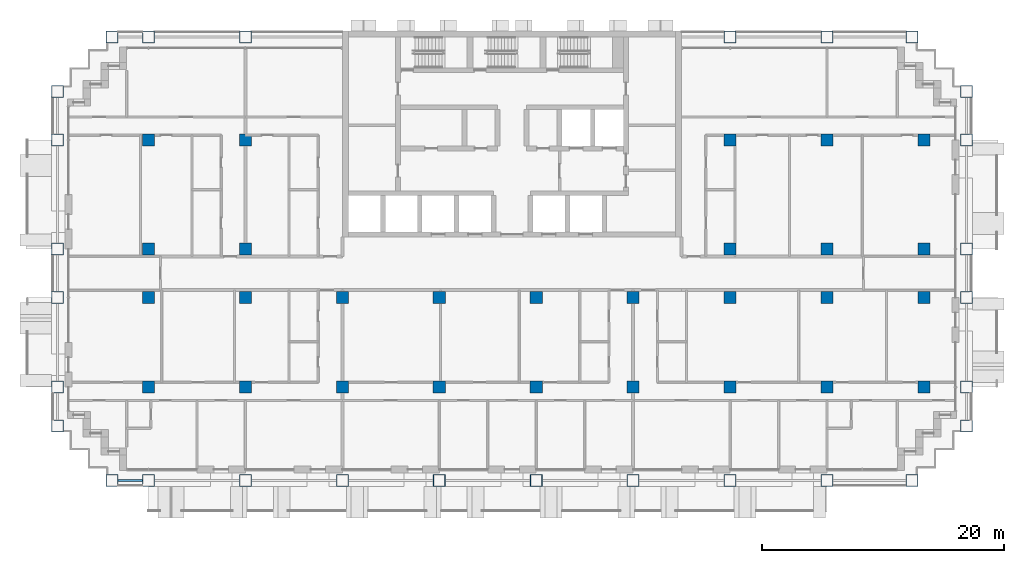
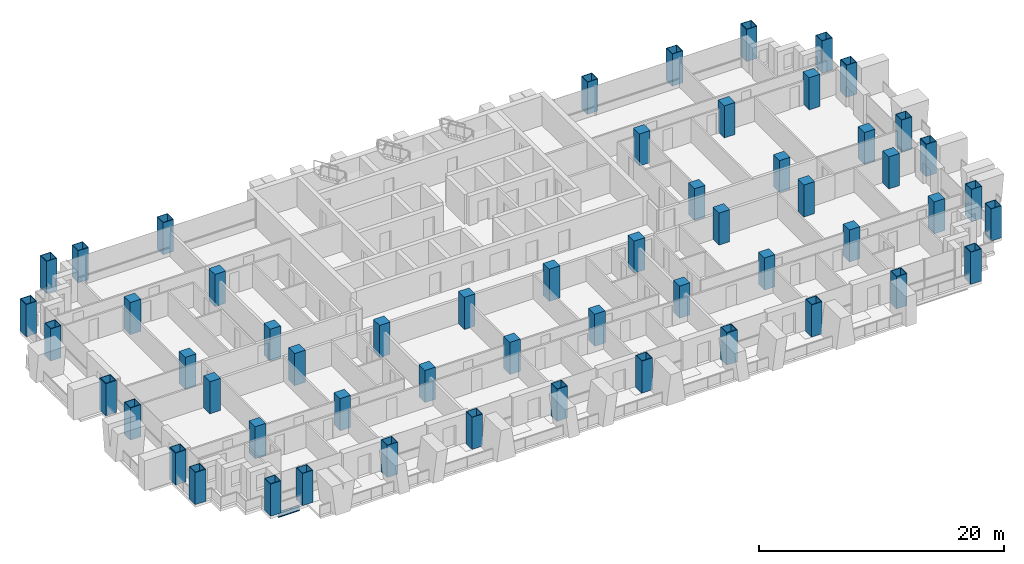
# One storey, part 1 of 18: 56 columns, 1 beam.
"""IFC4 building model written with IfcOpenShell, lengths in metres."""

from ifc_helpers import new_model, si_unit, direction, frame, origin, origin_2d, place, context, subcontext, project, spatial, rectangle, hollow_rectangle, i_section, extrude, material, material_profile, profile_set, type_object, element, save


model = new_model("IFC4")

# Units and contexts
model_context = context("Model", 3, precision=1e-05, world=origin(), true_north=direction((0.0, 1.0)))
body_context = subcontext(model_context, "Body", "Model", "MODEL_VIEW")
ifc_project = project(units=[si_unit("LENGTHUNIT", "METRE"), si_unit("AREAUNIT", "SQUARE_METRE"), si_unit("VOLUMEUNIT", "CUBIC_METRE"), si_unit("PLANEANGLEUNIT", "RADIAN"), si_unit("MASSUNIT", "GRAM", prefix="KILO")], contexts=[model_context])

# Site, building, storey
site_placement = place(None, origin())
site = spatial("IfcSite", under=ifc_project, at=site_placement, CompositionType="ELEMENT")
building_placement = place(site_placement, origin())
building = spatial("IfcBuilding", under=site, at=building_placement, Name="Vidyagriha Tower", CompositionType="ELEMENT")
storey_placement = place(building_placement, frame((0.0, 0.0, 54.39990234375)))
storey = spatial("IfcBuildingStorey", under=building, at=storey_placement, Name="L14", CompositionType="ELEMENT", Elevation=54.39990234375)

# Columns
ifc_material_1 = material(Name="Steel ASTM A572 Grade 50", Category="steel")
ifc_material_profile_1 = material_profile(ifc_material_1, hollow_rectangle(XDim=1.0, YDim=1.0, WallThickness=0.050048828125, at=origin_2d()), Name="BOX 1000x1000x50")
ifc_profile_set_1 = profile_set([ifc_material_profile_1], Name="Steel ASTM A572 Grade 50")
column_type_1 = type_object("IfcColumnType", Name="Exoskeleton column BOX 1000x1000x50", PredefinedType="COLUMN", material=ifc_profile_set_1)
for number, where, name in (
    (1, (-33.0, -17.10009765625, 0.0), "st-col-L14-B1-001"),
    (2, (-30.0, -17.10009765625, 0.0), "st-col-L14-B1-002"),
    (3, (-22.0, -17.10009765625, 0.0), "st-col-L14-B1-003"),
    (4, (-14.0, -17.10009765625, 0.0), "st-col-L14-B1-004"),
    (5, (-6.0, -17.10009765625, 0.0), "st-col-L14-B1-005"),
    (6, (2.0, -17.10009765625, 0.0), "st-col-L14-B1-006"),
    (7, (10.0, -17.10009765625, 0.0), "st-col-L14-B1-007"),
    (8, (18.0, -17.10009765625, 0.0), "st-col-L14-B1-008"),
    (9, (26.0, -17.10009765625, 0.0), "st-col-L14-B1-009"),
    (10, (33.0, -17.10009765625, 0.0), "st-col-L14-B1-010"),
    (11, (-37.5, -12.60009765625, 0.0), "st-col-L14-B1-011"),
    (12, (37.5, -12.60009765625, 0.0), "st-col-L14-B1-012"),
    (13, (-37.5, -9.39990234375, 0.0), "st-col-L14-B1-013"),
    (14, (37.5, -9.39990234375, 0.0), "st-col-L14-B1-023"),
    (15, (-37.5, -2.0, 0.0), "st-col-L14-B1-024"),
    (16, (37.5, -2.0, 0.0), "st-col-L14-B1-034"),
    (17, (-37.5, 2.0, 0.0), "st-col-L14-B1-035"),
    (18, (37.5, 2.0, 0.0), "st-col-L14-B1-041"),
    (19, (-37.5, 11.0, 0.0), "st-col-L14-B1-042"),
    (20, (37.5, 11.0, 0.0), "st-col-L14-B1-048"),
    (21, (-37.5, 15.0, 0.0), "st-col-L14-B1-049"),
    (22, (37.5, 15.0, 0.0), "st-col-L14-B1-050"),
    (23, (-33.0, 19.5, 0.0), "st-col-L14-B1-051"),
    (24, (-30.0, 19.5, 0.0), "st-col-L14-B1-052"),
    (25, (-22.0, 19.5, 0.0), "st-col-L14-B1-053"),
    (26, (18.0, 19.5, 0.0), "st-col-L14-B1-054"),
    (27, (26.0, 19.5, 0.0), "st-col-L14-B1-055"),
    (28, (33.0, 19.5, 0.0), "st-col-L14-B1-056"),
):
    element("IfcColumn", number, at=place(storey_placement, frame(where)), inside=storey, type_object=column_type_1, Name=name, PredefinedType="COLUMN", context=body_context, shape_type="SweptSolid", body=[
        extrude(hollow_rectangle(XDim=1.0, YDim=1.0, WallThickness=0.050048828125, at=origin_2d()), origin(), (0.0, 0.0, 1.0), 3.2001953125),
    ])
ifc_material_2 = material(Name="Concrete C80/95", Category="concrete")
ifc_material_profile_2 = material_profile(ifc_material_2, rectangle(XDim=1.0, YDim=1.0, at=origin_2d()), Name="RC 1000x1000")
ifc_profile_set_2 = profile_set([ifc_material_profile_2], Name="Concrete C80/95")
column_type_2 = type_object("IfcColumnType", Name="Frame column RC 1000x1000", PredefinedType="COLUMN", material=ifc_profile_set_2)
for number, where, name in (
    (29, (-30.0, -9.39990234375, 0.0), "st-col-L14-B1-014"),
    (30, (-22.0, -9.39990234375, 0.0), "st-col-L14-B1-015"),
    (31, (-14.0, -9.39990234375, 0.0), "st-col-L14-B1-016"),
    (32, (-6.0, -9.39990234375, 0.0), "st-col-L14-B1-017"),
    (33, (2.0, -9.39990234375, 0.0), "st-col-L14-B1-018"),
    (34, (10.0, -9.39990234375, 0.0), "st-col-L14-B1-019"),
    (35, (18.0, -9.39990234375, 0.0), "st-col-L14-B1-020"),
    (36, (26.0, -9.39990234375, 0.0), "st-col-L14-B1-021"),
    (37, (34.0, -9.39990234375, 0.0), "st-col-L14-B1-022"),
    (38, (-30.0, -2.0, 0.0), "st-col-L14-B1-025"),
    (39, (-22.0, -2.0, 0.0), "st-col-L14-B1-026"),
    (40, (-14.0, -2.0, 0.0), "st-col-L14-B1-027"),
    (41, (-6.0, -2.0, 0.0), "st-col-L14-B1-028"),
    (42, (2.0, -2.0, 0.0), "st-col-L14-B1-029"),
    (43, (10.0, -2.0, 0.0), "st-col-L14-B1-030"),
    (44, (18.0, -2.0, 0.0), "st-col-L14-B1-031"),
    (45, (26.0, -2.0, 0.0), "st-col-L14-B1-032"),
    (46, (34.0, -2.0, 0.0), "st-col-L14-B1-033"),
    (47, (-30.0, 2.0, 0.0), "st-col-L14-B1-036"),
    (48, (-22.0, 2.0, 0.0), "st-col-L14-B1-037"),
    (49, (18.0, 2.0, 0.0), "st-col-L14-B1-038"),
    (50, (26.0, 2.0, 0.0), "st-col-L14-B1-039"),
    (51, (34.0, 2.0, 0.0), "st-col-L14-B1-040"),
    (52, (-30.0, 11.0, 0.0), "st-col-L14-B1-043"),
    (53, (-22.0, 11.0, 0.0), "st-col-L14-B1-044"),
    (54, (18.0, 11.0, 0.0), "st-col-L14-B1-045"),
    (55, (26.0, 11.0, 0.0), "st-col-L14-B1-046"),
    (56, (34.0, 11.0, 0.0), "st-col-L14-B1-047"),
):
    element("IfcColumn", number, at=place(storey_placement, frame(where)), inside=storey, type_object=column_type_2, Name=name, PredefinedType="COLUMN", context=body_context, shape_type="SweptSolid", body=[
        extrude(rectangle(XDim=1.0, YDim=1.0, at=origin_2d()), origin(), (0.0, 0.0, 1.0), 3.2001953125),
    ])

# Beam
ifc_material_3 = material(Name="Steel ASTM A992 Grade 50", Category="steel")
ifc_material_profile_3 = material_profile(ifc_material_3, i_section(OverallWidth=0.19189453125, OverallDepth=0.46240234375, WebThickness=0.010498046875, FlangeThickness=0.017578125, at=origin_2d()), Name="W18X60")
ifc_profile_set_3 = profile_set([ifc_material_profile_3], Name="Steel ASTM A992 Grade 50")
beam_type = type_object("IfcBeamType", Name="Edge beam W18X60", PredefinedType="SPANDREL", material=ifc_profile_set_3)
beam_placement = place(storey_placement, frame((-32.5, -17.10009765625, -0.510986328125), z_axis=(1.0, 0.0, 0.0), x_axis=(0.0, 1.0, 0.0)))
element("IfcBeam", 57, at=beam_placement, inside=storey, type_object=beam_type, Name="st-beam-L14-S01", PredefinedType="SPANDREL", context=body_context, shape_type="SweptSolid", body=[
    extrude(i_section(OverallWidth=0.19189453125, OverallDepth=0.46240234375, WebThickness=0.010498046875, FlangeThickness=0.017578125, at=origin_2d()), origin(), (0.0, 0.0, 1.0), 2.0),
])

save(model, "model.ifc")
